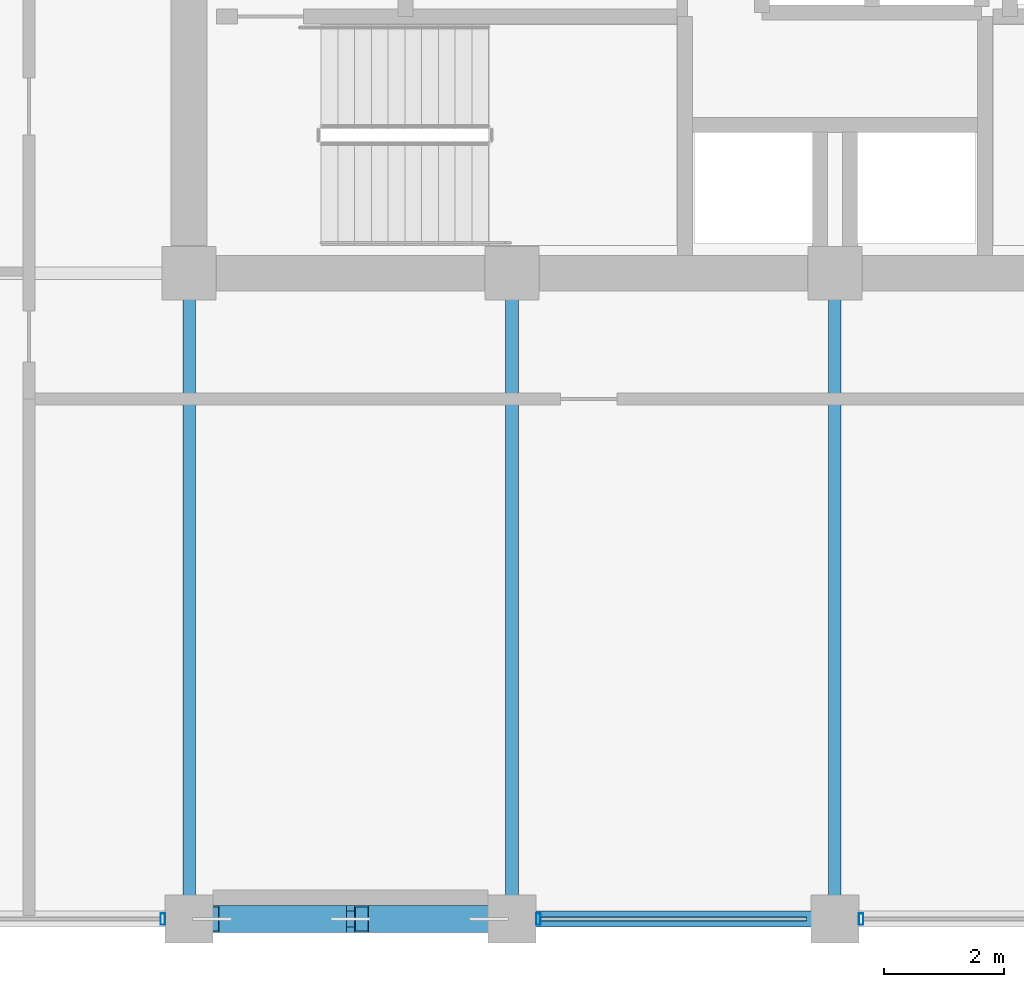
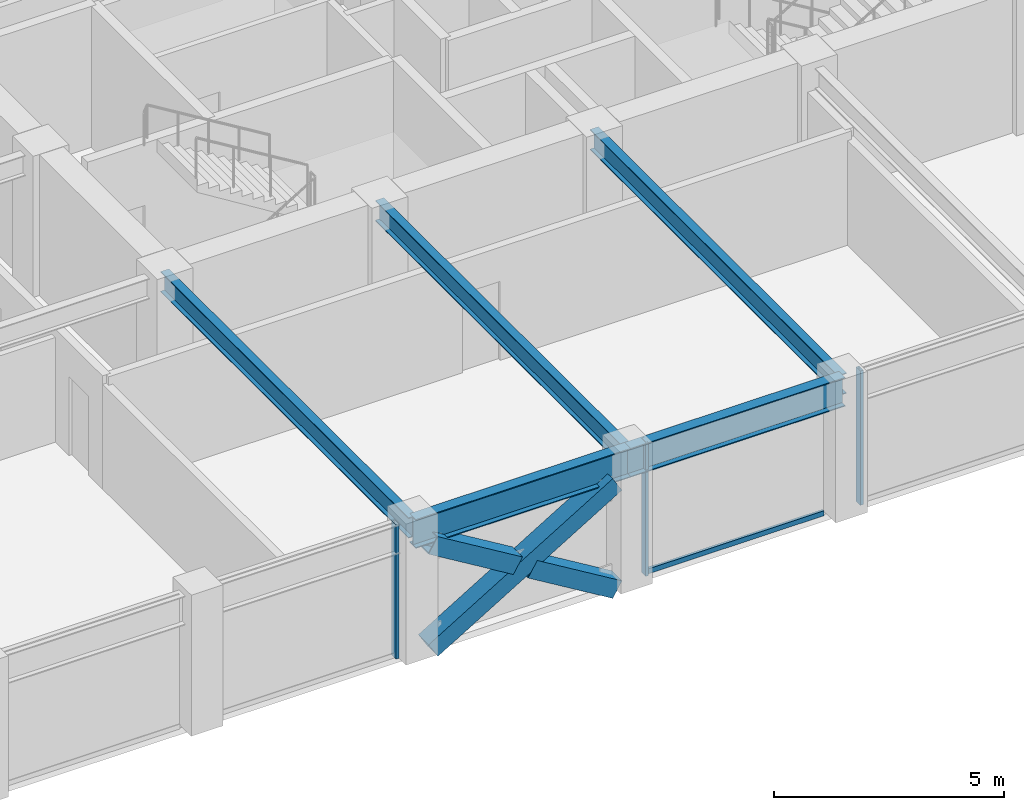
# One storey, part 4 of 28: 7 members, 5 beams, 2 elements without a shape of their own.
"""IFC4 building model written with IfcOpenShell, lengths in metres."""

from ifc_helpers import new_model, si_unit, direction, frame, origin, origin_2d, place, context, subcontext, project, spatial, hollow_rectangle, i_section, extrude, material, layer, layer_set, material_profile, profile_set, type_object, element, aggregate, save


model = new_model("IFC4")

# Units and contexts
model_context = context("Model", 3, precision=1e-05, world=origin(), true_north=direction((0.0, 1.0)))
body_context = subcontext(model_context, "Body", "Model", "MODEL_VIEW")
ifc_project = project(units=[si_unit("LENGTHUNIT", "METRE"), si_unit("AREAUNIT", "SQUARE_METRE"), si_unit("VOLUMEUNIT", "CUBIC_METRE"), si_unit("PLANEANGLEUNIT", "RADIAN"), si_unit("MASSUNIT", "GRAM", prefix="KILO")], contexts=[model_context])

# Site, building, storey
site_placement = place(None, origin())
site = spatial("IfcSite", under=ifc_project, at=site_placement, CompositionType="ELEMENT")
building_placement = place(site_placement, origin())
building = spatial("IfcBuilding", under=site, at=building_placement, Name="Surkhivell Harbour Commons", CompositionType="ELEMENT")
storey_placement = place(building_placement, frame((0.0, 0.0, 238.5)))
storey = spatial("IfcBuildingStorey", under=building, at=storey_placement, Name="L62", CompositionType="ELEMENT", Elevation=238.5)

# Beams
ifc_material_1 = material(Name="Steel S355", Category="steel")
ifc_material_profile_1 = material_profile(ifc_material_1, i_section(OverallWidth=0.2119140625, OverallDepth=0.5439453125, WebThickness=0.0126953125, FlangeThickness=0.021240234375, at=origin_2d()), Name="UB533x210x122")
ifc_profile_set_1 = profile_set([ifc_material_profile_1], Name="Steel S355")
beam_type_1 = type_object("IfcBeamType", Name="BM-GRD-533A", PredefinedType="BEAM", material=ifc_profile_set_1)
for number, where, z_axis, x_axis, name in (
    (1, (-10.800048828125, -21.60009765625, 3.298095703125), (0.0, 1.0, 0.0), (-1.0, 0.0, 0.0), "L62 Floor Girder (-10.8,-21.6)"),
    (2, (-5.39990234375, -21.60009765625, 3.298095703125), (0.0, 1.0, 0.0), (-1.0, 0.0, 0.0), "L62 Floor Girder (-5.4,-21.6)"),
    (3, (0.0, -21.60009765625, 3.298095703125), (0.0, 1.0, 0.0), (-1.0, 0.0, 0.0), "L62 Floor Girder (0.0,-21.6)"),
):
    element("IfcBeam", number, at=place(storey_placement, frame(where, z_axis=z_axis, x_axis=x_axis)), inside=storey, type_object=beam_type_1, Name=name, PredefinedType="BEAM", context=body_context, shape_type="SweptSolid", body=[
        extrude(i_section(OverallWidth=0.2119140625, OverallDepth=0.5439453125, WebThickness=0.0126953125, FlangeThickness=0.021240234375, at=origin_2d()), origin(), (0.0, 0.0, 1.0), 10.800048828125),
    ])
ifc_material_profile_2 = material_profile(ifc_material_1, i_section(OverallWidth=0.26806640625, OverallDepth=0.77001953125, WebThickness=0.015625, FlangeThickness=0.025390625, at=origin_2d()), Name="UB762x267x197")
ifc_profile_set_2 = profile_set([ifc_material_profile_2], Name="Steel S355")
beam_type_2 = type_object("IfcBeamType", Name="BM-SPN-762", PredefinedType="SPANDREL", material=ifc_profile_set_2)
beam_1_placement = place(storey_placement, frame((-10.800048828125, -21.60009765625, 3.18505859375), z_axis=(1.0, 0.0, 0.0), x_axis=(0.0, 1.0, 0.0)))
element("IfcBeam", 4, at=beam_1_placement, inside=storey, type_object=beam_type_2, Name="L62 Tube Spandrel (-10.8,-21.6)", PredefinedType="SPANDREL", context=body_context, shape_type="SweptSolid", body=[
    extrude(i_section(OverallWidth=0.26806640625, OverallDepth=0.77001953125, WebThickness=0.015625, FlangeThickness=0.025390625, at=origin_2d()), origin(), (0.0, 0.0, 1.0), 5.400146484375),
])
beam_2_placement = place(storey_placement, frame((-5.39990234375, -21.60009765625, 3.18505859375), z_axis=(1.0, 0.0, 0.0), x_axis=(0.0, 1.0, 0.0)))
element("IfcBeam", 5, at=beam_2_placement, inside=storey, type_object=beam_type_2, Name="L62 Tube Spandrel (-5.4,-21.6)", PredefinedType="SPANDREL", context=body_context, shape_type="SweptSolid", body=[
    extrude(i_section(OverallWidth=0.26806640625, OverallDepth=0.77001953125, WebThickness=0.015625, FlangeThickness=0.025390625, at=origin_2d()), origin(), (0.0, 0.0, 1.0), 5.39990234375),
])

# Curtain wall, member
ifc_material_2 = material(Name="Anodised pale-metal aluminium and insulated glazing", Category="aluminium")
ifc_layer = layer(ifc_material_2, 0.18994140625)
ifc_layer_set = layer_set([ifc_layer], Name="Anodised pale-metal aluminium and insulated glazing")
curtain_wall_type = type_object("IfcCurtainWallType", Name="CW-SYS-Z3", PredefinedType="NOTDEFINED", material=ifc_layer_set)
curtain_wall_1_placement = place(storey_placement, origin())
curtain_wall_1 = element("IfcCurtainWall", 6, at=curtain_wall_1_placement, inside=storey, type_object=curtain_wall_type, Name="L62 Curtain Wall CW-L62-E00S1", PredefinedType="NOTDEFINED")
ifc_material_3 = material(Name="Anodised pale-metal aluminium alloy 6063-T6", Category="aluminium")
ifc_material_profile_3 = material_profile(ifc_material_3, hollow_rectangle(XDim=0.074951171875, YDim=0.18994140625, WallThickness=0.00390625, at=origin_2d()), Name="ALU-MULL-75x190")
ifc_profile_set_3 = profile_set([ifc_material_profile_3], Name="Anodised pale-metal aluminium alloy 6063-T6")
member_type_1 = type_object("IfcMemberType", Name="CWM-190", PredefinedType="MULLION", material=ifc_profile_set_3)
member_1_placement = place(storey_placement, frame((-11.239501953125, -21.60009765625, 0.0), z_axis=(0.0, 0.0, 1.0), x_axis=(1.0, 0.0, 0.0)))
member_1 = element("IfcMember", 7, at=member_1_placement, type_object=member_type_1, Name="CW-Z3 mullion 3", PredefinedType="MULLION", context=body_context, shape_type="SweptSolid", body=[
    extrude(hollow_rectangle(XDim=0.074951171875, YDim=0.18994140625, WallThickness=0.00390625, at=origin_2d()), origin(), (0.0, 0.0, 1.0), 3.570068359375),
])
aggregate(curtain_wall_1, [member_1])

# Curtain wall, members
curtain_wall_2_placement = place(storey_placement, origin())
curtain_wall_2 = element("IfcCurtainWall", 8, at=curtain_wall_2_placement, inside=storey, type_object=curtain_wall_type, Name="L62 Curtain Wall CW-L62-E00S2", PredefinedType="NOTDEFINED")
member_2_placement = place(storey_placement, frame((-4.96044921875, -21.60009765625, 0.0), z_axis=(0.0, 0.0, 1.0), x_axis=(1.0, 0.0, 0.0)))
member_2 = element("IfcMember", 9, at=member_2_placement, type_object=member_type_1, Name="CW-Z3 mullion 1", PredefinedType="MULLION", context=body_context, shape_type="SweptSolid", body=[
    extrude(hollow_rectangle(XDim=0.074951171875, YDim=0.18994140625, WallThickness=0.00390625, at=origin_2d()), origin(), (0.0, 0.0, 1.0), 3.570068359375),
])
member_3_placement = place(storey_placement, frame((0.439453125, -21.60009765625, 0.0), z_axis=(0.0, 0.0, 1.0), x_axis=(1.0, 0.0, 0.0)))
member_3 = element("IfcMember", 10, at=member_3_placement, type_object=member_type_1, Name="CW-Z3 mullion 2", PredefinedType="MULLION", context=body_context, shape_type="SweptSolid", body=[
    extrude(hollow_rectangle(XDim=0.074951171875, YDim=0.18994140625, WallThickness=0.00390625, at=origin_2d()), origin(), (0.0, 0.0, 1.0), 3.570068359375),
])
ifc_material_4 = material(Name="Champagne anodised aluminium alloy 6063-T6", Category="aluminium")
ifc_material_profile_4 = material_profile(ifc_material_4, hollow_rectangle(XDim=0.070068359375, YDim=0.1298828125, WallThickness=0.00341796875, at=origin_2d()), Name="ALU-TRAN-70x130")
ifc_profile_set_4 = profile_set([ifc_material_profile_4], Name="Champagne anodised aluminium alloy 6063-T6")
member_type_2 = type_object("IfcMemberType", Name="CWT-130", PredefinedType="USERDEFINED", material=ifc_profile_set_4)
member_4_placement = place(storey_placement, frame((-4.923095703125, -21.60009765625, 0.06494140625), z_axis=(1.0, 0.0, 0.0), x_axis=(0.0, 1.0, 0.0)))
member_4 = element("IfcMember", 11, at=member_4_placement, type_object=member_type_2, Name="CW-Z3 transom 1.1", ObjectType="TRANSOM", PredefinedType="USERDEFINED", context=body_context, shape_type="SweptSolid", body=[
    extrude(hollow_rectangle(XDim=0.070068359375, YDim=0.1298828125, WallThickness=0.00341796875, at=origin_2d()), origin(), (0.0, 0.0, 1.0), 4.446044921875),
])
aggregate(curtain_wall_2, [member_2, member_4, member_3])

# Members
ifc_material_5 = material(Name="Steel S460", Category="steel")
ifc_material_profile_5 = material_profile(ifc_material_5, hollow_rectangle(XDim=0.449951171875, YDim=0.449951171875, WallThickness=0.02197265625, at=origin_2d()), Name="SHS450x450x22")
ifc_profile_set_5 = profile_set([ifc_material_profile_5], Name="Steel S460")
member_type_3 = type_object("IfcMemberType", Name="MEM-BRC-SHS450", PredefinedType="BRACE", material=ifc_profile_set_5)
member_5_placement = place(storey_placement, frame((-10.4150390625, -21.60009765625, 0.008056640625), z_axis=(0.856035804566, 0.0, 0.516916532238), x_axis=(0.0, 1.0, 0.0)))
element("IfcMember", 12, at=member_5_placement, inside=storey, type_object=member_type_3, Name="L62 Perimeter Mega-Brace MB- 07", PredefinedType="BRACE", context=body_context, shape_type="SweptSolid", body=[
    extrude(hollow_rectangle(XDim=0.449951171875, YDim=0.449951171875, WallThickness=0.02197265625, at=origin_2d()), origin(), (0.0, 0.0, 1.0), 5.40869140625),
])
member_6_placement = place(storey_placement, frame((-5.784912109375, -21.60009765625, 0.008056640625), z_axis=(-0.856061168755, 0.0, 0.516874525731), x_axis=(0.0, -1.0, 0.0)))
element("IfcMember", 13, at=member_6_placement, inside=storey, type_object=member_type_3, Name="L62 Perimeter Mega-Brace MB- 08", PredefinedType="BRACE", context=body_context, shape_type="SweptSolid", body=[
    extrude(hollow_rectangle(XDim=0.449951171875, YDim=0.449951171875, WallThickness=0.02197265625, at=origin_2d()), origin(), (0.0, 0.0, 1.0), 2.48828125),
])
member_7_placement = place(storey_placement, frame((-8.284912109375, -21.60009765625, 1.517578125), z_axis=(-0.856017753989, 0.0, 0.516946423584), x_axis=(0.0, -1.0, 0.0)))
element("IfcMember", 14, at=member_7_placement, inside=storey, type_object=member_type_3, Name="L62 Perimeter Mega-Brace MB- 09", PredefinedType="BRACE", context=body_context, shape_type="SweptSolid", body=[
    extrude(hollow_rectangle(XDim=0.449951171875, YDim=0.449951171875, WallThickness=0.02197265625, at=origin_2d()), origin(), (0.0, 0.0, 1.0), 2.488525390625),
])

save(model, "model.ifc")
